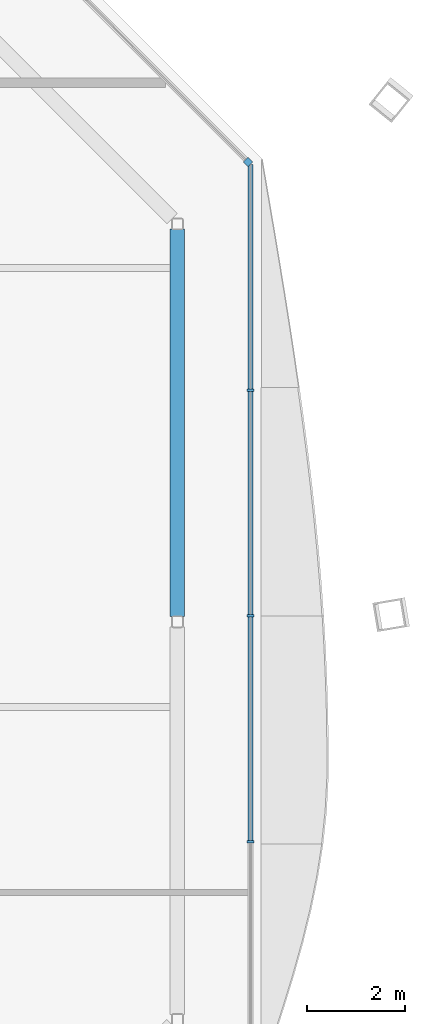
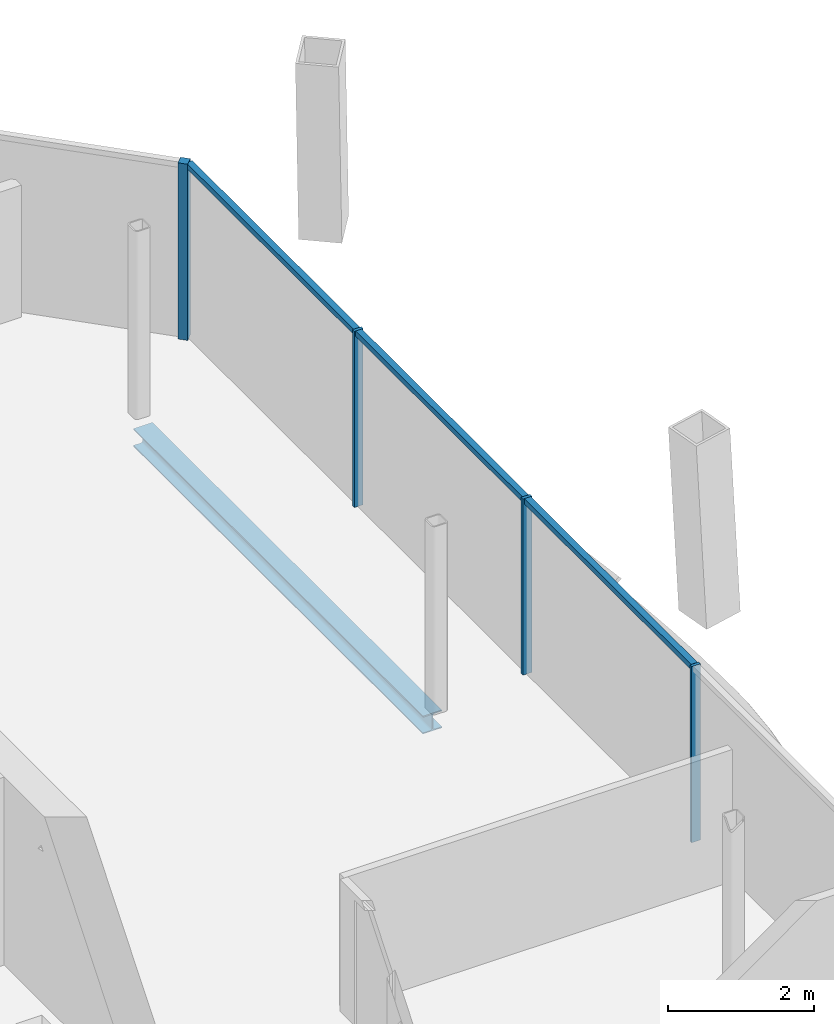
# One storey, part 7 of 13: 7 members, 1 beam, 2 elements without a shape of their own.
"""IFC4 building model written with IfcOpenShell, lengths in metres."""

from ifc_helpers import new_model, si_unit, direction, frame, origin, origin_2d, place, context, subcontext, project, spatial, rectangle, i_section, extrude, material, material_profile, profile_set, type_object, element, aggregate, save


model = new_model("IFC4")

# Units and contexts
model_context = context("Model", 3, precision=1e-05, world=origin(), true_north=direction((0.0, 1.0)))
body_context = subcontext(model_context, "Body", "Model", "MODEL_VIEW")
ifc_project = project(units=[si_unit("LENGTHUNIT", "METRE"), si_unit("AREAUNIT", "SQUARE_METRE"), si_unit("VOLUMEUNIT", "CUBIC_METRE"), si_unit("PLANEANGLEUNIT", "RADIAN"), si_unit("MASSUNIT", "GRAM", prefix="KILO")], contexts=[model_context])

# Site, building, storey
site_placement = place(None, origin())
site = spatial("IfcSite", under=ifc_project, at=site_placement, CompositionType="ELEMENT")
building_placement = place(site_placement, origin())
building = spatial("IfcBuilding", under=site, at=building_placement, Name="Tskaro Facet Tower", CompositionType="ELEMENT")
storey_placement = place(building_placement, frame((0.0, 0.0, 281.550048828125)))
storey = spatial("IfcBuildingStorey", under=building, at=storey_placement, Name="L75", CompositionType="ELEMENT", Elevation=281.550048828125)

# Curtain wall, member
ifc_material_1 = material(Name="Bronze anodised aluminium 6063-T6", Category="aluminium")
curtain_wall_type = type_object("IfcCurtainWallType", Name="Bronze residence curtain wall (FW3)", PredefinedType="NOTDEFINED", material=ifc_material_1)
curtain_wall_1_placement = place(storey_placement, origin())
curtain_wall_1 = element("IfcCurtainWall", 1, at=curtain_wall_1_placement, inside=storey, type_object=curtain_wall_type, Name="FW3 north-east facet L75", PredefinedType="NOTDEFINED")
ifc_material_profile_1 = material_profile(ifc_material_1, rectangle(XDim=0.139892578125, YDim=0.139892578125, at=origin_2d()), Name="Corner post 140x140")
ifc_profile_set_1 = profile_set([ifc_material_profile_1], Name="Bronze anodised aluminium 6063-T6")
member_type_1 = type_object("IfcMemberType", Name="FW3 bronze corner post 140x140", PredefinedType="MULLION", material=ifc_profile_set_1)
member_1_placement = place(storey_placement, frame((18.6484375, 6.675537109375, 0.0), z_axis=(0.0, 0.0, 1.0), x_axis=(-0.707106781187, 0.707106781187, 0.0)))
member_1 = element("IfcMember", 2, at=member_1_placement, type_object=member_type_1, Name="FW3 north-east corner post", PredefinedType="MULLION", context=body_context, shape_type="SweptSolid", body=[
    extrude(rectangle(XDim=0.139892578125, YDim=0.139892578125, at=origin_2d()), origin(), (0.0, 0.0, 1.0), 2.949951171875),
])
aggregate(curtain_wall_1, [member_1])

# Curtain wall, members
curtain_wall_2_placement = place(storey_placement, origin())
curtain_wall_2 = element("IfcCurtainWall", 3, at=curtain_wall_2_placement, inside=storey, type_object=curtain_wall_type, Name="FW3 east facet L75", PredefinedType="NOTDEFINED")
ifc_material_profile_2 = material_profile(ifc_material_1, rectangle(XDim=0.050048828125, YDim=0.139892578125, at=origin_2d()), Name="Mullion 50x140")
ifc_profile_set_2 = profile_set([ifc_material_profile_2], Name="Bronze anodised aluminium 6063-T6")
member_type_2 = type_object("IfcMemberType", Name="FW3 bronze mullion 50x140", PredefinedType="MULLION", material=ifc_profile_set_2)
member_2_placement = place(storey_placement, frame((18.697998046875, -7.2587890625, 0.0), z_axis=(0.0, 0.0, 1.0), x_axis=(0.0, 1.0, 0.0)))
member_2 = element("IfcMember", 4, at=member_2_placement, type_object=member_type_2, Name="FW3 east mullion 1", PredefinedType="MULLION", context=body_context, shape_type="SweptSolid", body=[
    extrude(rectangle(XDim=0.050048828125, YDim=0.139892578125, at=origin_2d()), origin(), (0.0, 0.0, 1.0), 2.949951171875),
])
member_3_placement = place(storey_placement, frame((18.697998046875, -2.630615234375, 0.0), z_axis=(0.0, 0.0, 1.0), x_axis=(0.0, 1.0, 0.0)))
member_3 = element("IfcMember", 5, at=member_3_placement, type_object=member_type_2, Name="FW3 east mullion 2", PredefinedType="MULLION", context=body_context, shape_type="SweptSolid", body=[
    extrude(rectangle(XDim=0.050048828125, YDim=0.139892578125, at=origin_2d()), origin(), (0.0, 0.0, 1.0), 2.949951171875),
])
member_4_placement = place(storey_placement, frame((18.697998046875, 1.997802734375, 0.0), z_axis=(0.0, 0.0, 1.0), x_axis=(0.0, 1.0, 0.0)))
member_4 = element("IfcMember", 6, at=member_4_placement, type_object=member_type_2, Name="FW3 east mullion 3", PredefinedType="MULLION", context=body_context, shape_type="SweptSolid", body=[
    extrude(rectangle(XDim=0.050048828125, YDim=0.139892578125, at=origin_2d()), origin(), (0.0, 0.0, 1.0), 2.949951171875),
])
ifc_material_profile_3 = material_profile(ifc_material_1, rectangle(XDim=0.10009765625, YDim=0.090087890625, at=origin_2d()), Name="Transom 100x90")
ifc_profile_set_3 = profile_set([ifc_material_profile_3], Name="Bronze anodised aluminium 6063-T6")
member_type_3 = type_object("IfcMemberType", Name="FW3 bronze transom 100x90", PredefinedType="USERDEFINED", material=ifc_profile_set_3)
member_5_placement = place(storey_placement, frame((18.697998046875, -7.233642578125, 2.905029296875), z_axis=(0.0, 1.0, 0.0), x_axis=(-1.0, 0.0, 0.0)))
member_5 = element("IfcMember", 7, at=member_5_placement, type_object=member_type_3, Name="FW3 east transom 2.1", ObjectType="TRANSOM", PredefinedType="USERDEFINED", context=body_context, shape_type="SweptSolid", body=[
    extrude(rectangle(XDim=0.10009765625, YDim=0.090087890625, at=origin_2d()), origin(), (0.0, 0.0, 1.0), 4.578125),
])
member_6_placement = place(storey_placement, frame((18.697998046875, -2.60546875, 2.905029296875), z_axis=(0.0, 1.0, 0.0), x_axis=(-1.0, 0.0, 0.0)))
member_6 = element("IfcMember", 8, at=member_6_placement, type_object=member_type_3, Name="FW3 east transom 3.1", ObjectType="TRANSOM", PredefinedType="USERDEFINED", context=body_context, shape_type="SweptSolid", body=[
    extrude(rectangle(XDim=0.10009765625, YDim=0.090087890625, at=origin_2d()), origin(), (0.0, 0.0, 1.0), 4.578125),
])
member_7_placement = place(storey_placement, frame((18.697998046875, 2.022705078125, 2.905029296875), z_axis=(0.0, 1.0, 0.0), x_axis=(-1.0, 0.0, 0.0)))
member_7 = element("IfcMember", 9, at=member_7_placement, type_object=member_type_3, Name="FW3 east transom 4.1", ObjectType="TRANSOM", PredefinedType="USERDEFINED", context=body_context, shape_type="SweptSolid", body=[
    extrude(rectangle(XDim=0.10009765625, YDim=0.090087890625, at=origin_2d()), origin(), (0.0, 0.0, 1.0), 4.603271484375),
])
aggregate(curtain_wall_2, [member_2, member_3, member_4, member_5, member_6, member_7])

# Beam
ifc_material_2 = material(Name="Steel S355J2", Category="steel")
ifc_material_profile_4 = material_profile(ifc_material_2, i_section(OverallWidth=0.300048828125, OverallDepth=0.300048828125, WebThickness=0.010986328125, FlangeThickness=0.01904296875, FilletRadius=0.027099609375, at=origin_2d()), Name="HE 300 B")
ifc_profile_set_4 = profile_set([ifc_material_profile_4], Name="Steel S355J2")
beam_type = type_object("IfcBeamType", Name="HE 300 B ring beam", PredefinedType="BEAM", material=ifc_profile_set_4)
beam_placement = place(storey_placement, frame((17.199951171875, -2.64501953125, -0.2900390625), z_axis=(0.0, 1.0, 0.0), x_axis=(-1.0, 0.0, 0.0)))
element("IfcBeam", 10, at=beam_placement, inside=storey, type_object=beam_type, Name="HE 300 B EB6-6", PredefinedType="BEAM", context=body_context, shape_type="SweptSolid", body=[
    extrude(i_section(OverallWidth=0.300048828125, OverallDepth=0.300048828125, WebThickness=0.010986328125, FlangeThickness=0.01904296875, FilletRadius=0.027099609375, at=origin_2d()), origin(), (0.0, 0.0, 1.0), 7.943115234375),
])

save(model, "model.ifc")
